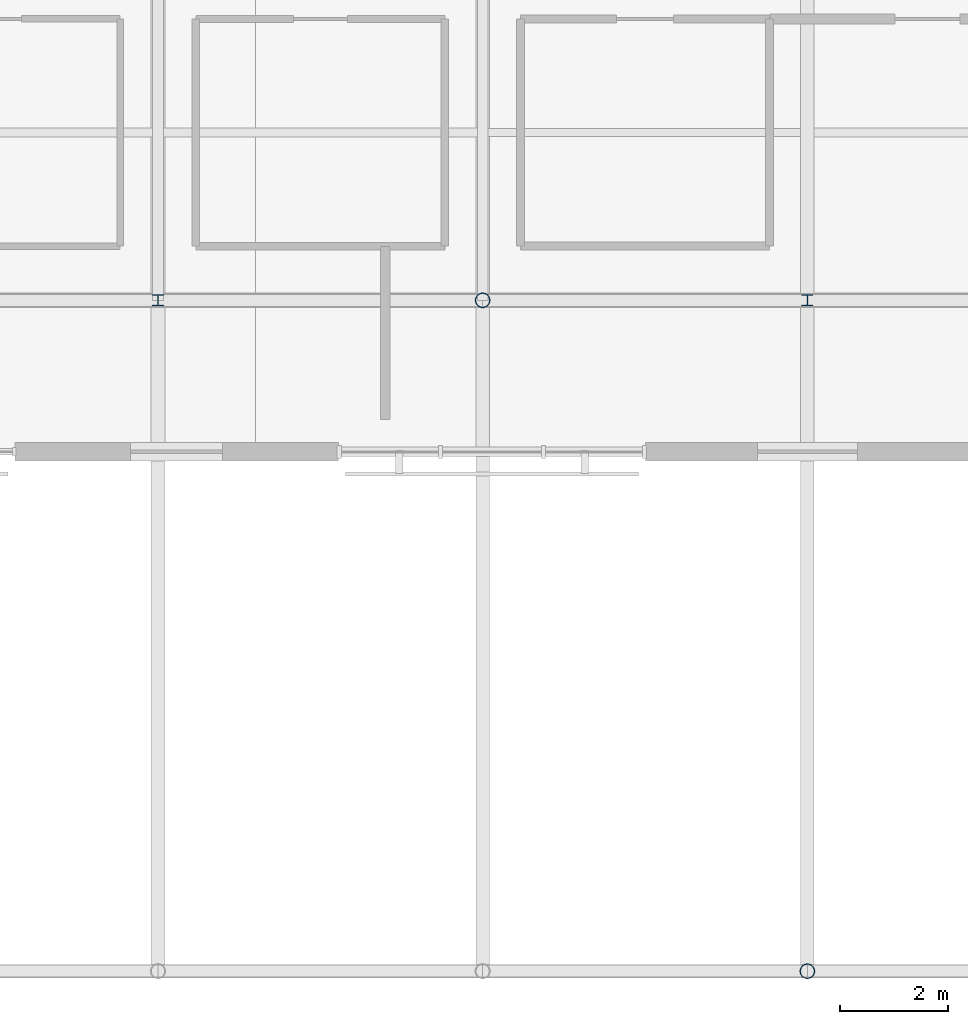
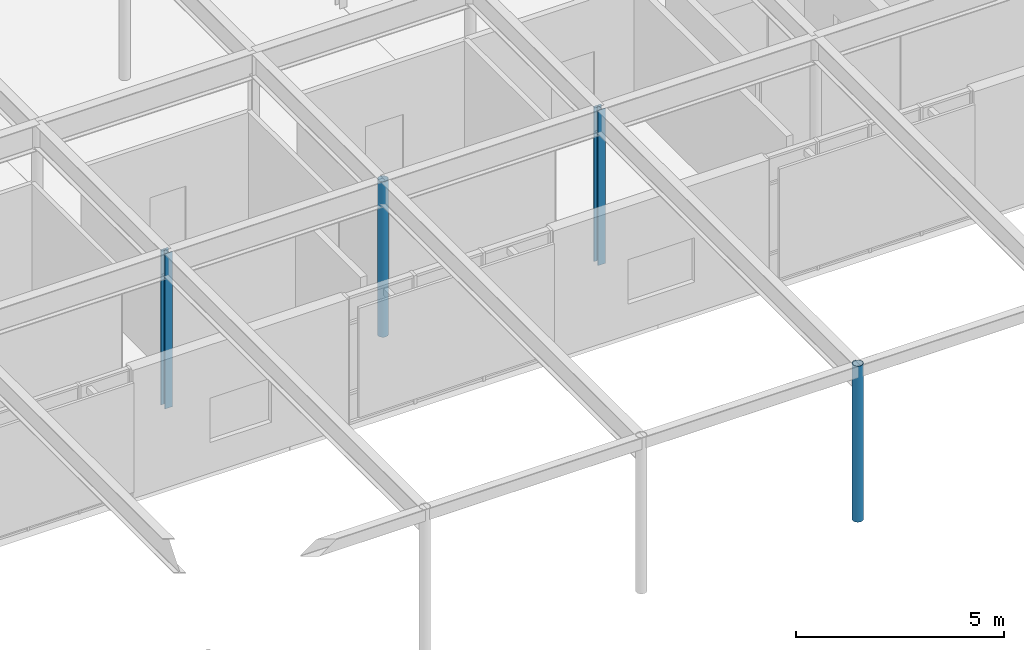
# One storey, part 3 of 48: 4 columns.
"""IFC4 building model written with IfcOpenShell, lengths in metres."""

from ifc_helpers import new_model, si_unit, direction, frame, origin, origin_2d, place, context, subcontext, project, spatial, hollow_circle, i_section, extrude, material, material_profile, profile_set, type_object, element, save


model = new_model("IFC4")

# Units and contexts
model_context = context("Model", 3, precision=1e-05, world=origin(), true_north=direction((0.0, 1.0)))
body_context = subcontext(model_context, "Body", "Model", "MODEL_VIEW")
ifc_project = project(units=[si_unit("LENGTHUNIT", "METRE"), si_unit("AREAUNIT", "SQUARE_METRE"), si_unit("VOLUMEUNIT", "CUBIC_METRE"), si_unit("PLANEANGLEUNIT", "RADIAN"), si_unit("MASSUNIT", "GRAM", prefix="KILO")], contexts=[model_context])

# Site, building, storey
site_placement = place(None, origin())
site = spatial("IfcSite", under=ifc_project, at=site_placement, CompositionType="ELEMENT")
building_placement = place(site_placement, origin())
building = spatial("IfcBuilding", under=site, at=building_placement, Name="Mirzam Square Science Centre", CompositionType="ELEMENT")
storey_placement = place(building_placement, frame((0.0, 0.0, 20.39990234375)))
storey = spatial("IfcBuildingStorey", under=building, at=storey_placement, Name="L04", CompositionType="ELEMENT", Elevation=20.39990234375)

# Columns
ifc_material = material(Name="Steel S355", Category="steel")
ifc_material_profile_1 = material_profile(ifc_material, hollow_circle(Radius=0.136474609375, WallThickness=0.010009765625, at=origin_2d()), Name="273.0x10.0CHS")
ifc_profile_set_1 = profile_set([ifc_material_profile_1], Name="Steel S355")
column_type_1 = type_object("IfcColumnType", Name="COL-CHS273", PredefinedType="COLUMN", material=ifc_profile_set_1)
column_1_placement = place(storey_placement, frame((126.0, 49.60009765625, 0.0), z_axis=(0.0, 0.0, 1.0), x_axis=(1.0, 0.0, 0.0)))
element("IfcColumn", 1, at=column_1_placement, inside=storey, type_object=column_type_1, Name="L04 column G22-09", PredefinedType="COLUMN", context=body_context, shape_type="SweptSolid", body=[
    extrude(hollow_circle(Radius=0.136474609375, WallThickness=0.010009765625, at=origin_2d()), origin(), (0.0, 0.0, 1.0), 4.550048828125),
])
column_2_placement = place(storey_placement, frame((132.0, 37.199951171875, 0.0), z_axis=(0.0, 0.0, 1.0), x_axis=(1.0, 0.0, 0.0)))
element("IfcColumn", 2, at=column_2_placement, inside=storey, type_object=column_type_1, Name="L04 column G23-07", PredefinedType="COLUMN", context=body_context, shape_type="SweptSolid", body=[
    extrude(hollow_circle(Radius=0.136474609375, WallThickness=0.010009765625, at=origin_2d()), origin(), (0.0, 0.0, 1.0), 4.570068359375),
])
ifc_material_profile_2 = material_profile(ifc_material, i_section(OverallWidth=0.205810546875, OverallDepth=0.209716796875, WebThickness=0.009521484375, FlangeThickness=0.01416015625, FilletRadius=0.01025390625, at=origin_2d()), Name="203x203x60UC")
ifc_profile_set_2 = profile_set([ifc_material_profile_2], Name="Steel S355")
column_type_2 = type_object("IfcColumnType", Name="COL-UC203A", PredefinedType="COLUMN", material=ifc_profile_set_2)
for number, where, z_axis, x_axis, name in (
    (3, (120.0, 49.60009765625, 0.0), (0.0, 0.0, 1.0), (1.0, 0.0, 0.0), "L04 column G21-09"),
    (4, (132.0, 49.60009765625, 0.0), (0.0, 0.0, 1.0), (1.0, 0.0, 0.0), "L04 column G23-09"),
):
    element("IfcColumn", number, at=place(storey_placement, frame(where, z_axis=z_axis, x_axis=x_axis)), inside=storey, type_object=column_type_2, Name=name, PredefinedType="COLUMN", context=body_context, shape_type="SweptSolid", body=[
        extrude(i_section(OverallWidth=0.205810546875, OverallDepth=0.209716796875, WebThickness=0.009521484375, FlangeThickness=0.01416015625, FilletRadius=0.01025390625, at=origin_2d()), origin(), (0.0, 0.0, 1.0), 4.550048828125),
    ])

save(model, "model.ifc")
